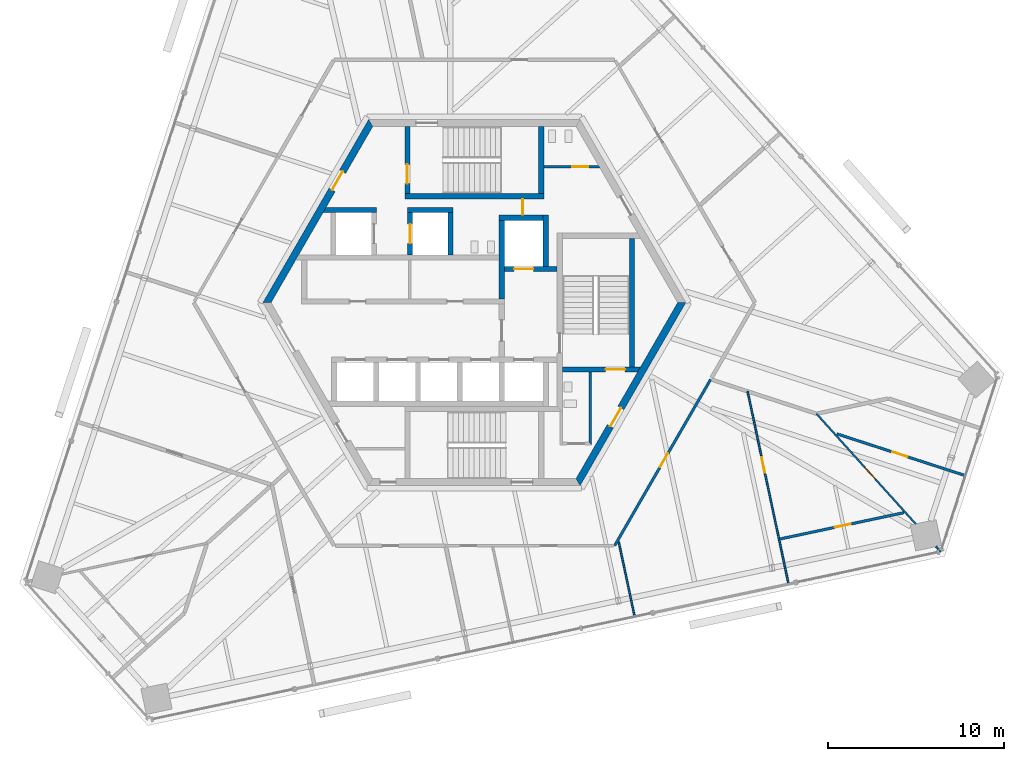
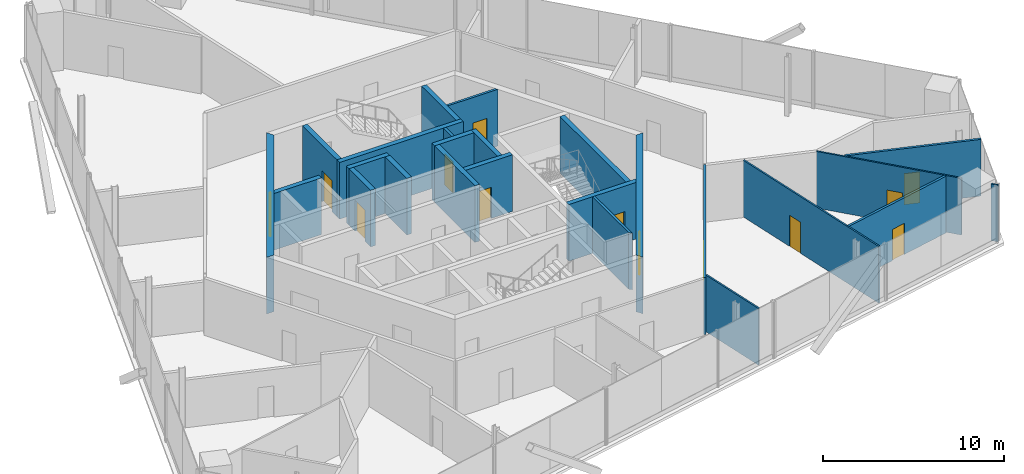
# One storey, part 11 of 14: 25 walls, 13 doors, 13 openings.
"""IFC4 building model written with IfcOpenShell, lengths in metres."""

from ifc_helpers import new_model, si_unit, direction, frame, frame_2d, origin, place, context, subcontext, project, spatial, polyline, rectangle, outline, extrude, source, transform, mapped, material, layer, layer_set, type_object, element, fill, save


model = new_model("IFC4")

# Units and contexts
model_context = context("Model", 3, precision=1e-05, world=origin(), true_north=direction((0.0, 1.0)))
body_context = subcontext(model_context, "Body", "Model", "MODEL_VIEW")
ifc_project = project(units=[si_unit("LENGTHUNIT", "METRE"), si_unit("AREAUNIT", "SQUARE_METRE"), si_unit("VOLUMEUNIT", "CUBIC_METRE"), si_unit("PLANEANGLEUNIT", "RADIAN"), si_unit("MASSUNIT", "GRAM", prefix="KILO")], contexts=[model_context])

# Site, building, storey
site_placement = place(None, origin())
site = spatial("IfcSite", under=ifc_project, at=site_placement, CompositionType="ELEMENT")
building_placement = place(site_placement, origin())
building = spatial("IfcBuilding", under=site, at=building_placement, Name="Triune Harvest Tower", CompositionType="ELEMENT")
storey_placement = place(building_placement, frame((0.0, 0.0, 284.699951171875)))
storey = spatial("IfcBuildingStorey", under=building, at=storey_placement, Name="L75", CompositionType="ELEMENT", Elevation=284.699951171875)

# Wall, opening, door
ifc_material_1 = material(Name="Gypsum board on steel studs", Category="steel")
ifc_layer_1 = layer(ifc_material_1, 0.14990234375)
ifc_layer_set_1 = layer_set([ifc_layer_1], Name="Gypsum board on steel studs")
wall_type_1 = type_object("IfcWallType", Name="Fire Partition 150 mm", PredefinedType="PARTITIONING", material=ifc_layer_set_1)
wall_1_placement = place(storey_placement, frame((20.5712890625, -7.44970703125, 0.0), z_axis=(0.0, 0.0, 1.0), x_axis=(0.95104950419, -0.309038574583, 0.0)))
wall_1 = element("IfcWall", 1, at=wall_1_placement, inside=storey, type_object=wall_type_1, Name="Partition L75 023", PredefinedType="PARTITIONING", context=body_context, shape_type="SweptSolid", body=[
    extrude(rectangle(XDim=7.6708984375, YDim=0.14990234375, at=frame_2d((3.83544921875, 0.0))), origin(), (0.0, 0.0, 1.0), 3.820068359375),
])
opening_1_placement = place(wall_1_placement, frame((3.321044921875, 0.0, 0.0)))
opening_1 = element("IfcOpeningElement", 2, at=opening_1_placement, cuts=wall_1, Name="Opening L75-019", PredefinedType="OPENING", context=body_context, shape_type="SweptSolid", body=[
    extrude(rectangle(XDim=0.89990234375, YDim=2.10009765625, at=frame_2d((0.449951171875, 1.050048828125))), frame((0.0, 0.0849609375, 0.0), z_axis=(0.0, -1.0, 0.0), x_axis=(1.0, 0.0, 0.0)), (0.0, 0.0, 1.0), 0.169921875),
])
ifc_material_2 = material(Name="Timber and steel door set", Category="steel")
door_type_1 = type_object("IfcDoorType", Name="Single leaf door FD30 right hand 900 x 2100", OperationType="SINGLE_SWING_RIGHT", PredefinedType="DOOR", material=ifc_material_2)
door_1_placement = place(opening_1_placement, origin())
door_1 = element("IfcDoor", 3, at=door_1_placement, inside=storey, type_object=door_type_1, Name="Door L75-019 Dry Store Room 75.19", OperationType="SINGLE_SWING_RIGHT", OverallHeight=2.10009765625, OverallWidth=0.89990234375, PredefinedType="DOOR", context=body_context, shape_type="SweptSolid", body=[
    extrude(rectangle(XDim=0.89990234375, YDim=2.10009765625, at=frame_2d((0.449951171875, 1.050048828125))), frame((0.0, 0.02490234375, 0.0), z_axis=(0.0, -1.0, 0.0), x_axis=(1.0, 0.0, 0.0)), (0.0, 0.0, 1.0), 0.050048828125),
])
fill(opening_1, door_1)

wall_2_placement = place(storey_placement, frame((17.3193359375, -13.42236328125, 0.0), z_axis=(0.0, 0.0, 1.0), x_axis=(0.978146208274, 0.207918241719, 0.0)))
wall_2 = element("IfcWall", 4, at=wall_2_placement, inside=storey, type_object=wall_type_1, Name="Partition L75 031", PredefinedType="PARTITIONING", context=body_context, shape_type="SweptSolid", body=[
    extrude(rectangle(XDim=7.215576171875, YDim=0.14990234375, at=frame_2d((3.60791015625, 0.0))), origin(), (0.0, 0.0, 1.0), 3.820068359375),
])
opening_2_placement = place(wall_2_placement, frame((3.219970703125, 0.0, 0.0)))
opening_2 = element("IfcOpeningElement", 5, at=opening_2_placement, cuts=wall_2, Name="Opening L75-017", PredefinedType="OPENING", context=body_context, shape_type="SweptSolid", body=[
    extrude(rectangle(XDim=0.89990234375, YDim=2.10009765625, at=frame_2d((0.449951171875, 1.050048828125))), frame((0.0, 0.0849609375, 0.0), z_axis=(0.0, -1.0, 0.0), x_axis=(1.0, 0.0, 0.0)), (0.0, 0.0, 1.0), 0.169921875),
])
ifc_material_3 = material(Name="Timber and steel door set", Category="steel")
door_type_2 = type_object("IfcDoorType", Name="Single leaf door FD30 left hand 900 x 2100", OperationType="SINGLE_SWING_LEFT", PredefinedType="DOOR", material=ifc_material_3)
door_2_placement = place(opening_2_placement, origin())
door_2 = element("IfcDoor", 6, at=door_2_placement, inside=storey, type_object=door_type_2, Name="Door L75-017 Dry Store Room 75.17", OperationType="SINGLE_SWING_LEFT", OverallHeight=2.10009765625, OverallWidth=0.89990234375, PredefinedType="DOOR", context=body_context, shape_type="SweptSolid", body=[
    extrude(rectangle(XDim=0.89990234375, YDim=2.10009765625, at=frame_2d((0.449951171875, 1.050048828125))), frame((0.0, 0.02490234375, 0.0), z_axis=(0.0, -1.0, 0.0), x_axis=(1.0, 0.0, 0.0)), (0.0, 0.0, 1.0), 0.050048828125),
])
fill(opening_2, door_2)

wall_3_placement = place(storey_placement, frame((7.96337890625, -13.791748046875, 0.0), z_axis=(0.0, 0.0, 1.0), x_axis=(0.500006418496, 0.866021698032, 0.0)))
wall_3 = element("IfcWall", 7, at=wall_3_placement, inside=storey, type_object=wall_type_1, Name="Partition L75 041", PredefinedType="PARTITIONING", context=body_context, shape_type="SweptSolid", body=[
    extrude(rectangle(XDim=10.890380859375, YDim=0.14990234375, at=frame_2d((5.4453125, 0.0))), origin(), (0.0, 0.0, 1.0), 3.820068359375),
])
opening_3_placement = place(wall_3_placement, frame((5.154296875, 0.0, 0.0)))
opening_3 = element("IfcOpeningElement", 8, at=opening_3_placement, cuts=wall_3, Name="Opening L75-016", PredefinedType="OPENING", context=body_context, shape_type="SweptSolid", body=[
    extrude(rectangle(XDim=0.89990234375, YDim=2.10009765625, at=frame_2d((0.449951171875, 1.050048828125))), frame((0.0, 0.0849609375, 0.0), z_axis=(0.0, -1.0, 0.0), x_axis=(1.0, 0.0, 0.0)), (0.0, 0.0, 1.0), 0.169921875),
])
door_3_placement = place(opening_3_placement, origin())
door_3 = element("IfcDoor", 9, at=door_3_placement, inside=storey, type_object=door_type_2, Name="Door L75-016 Dry Store Room 75.16", OperationType="SINGLE_SWING_LEFT", OverallHeight=2.10009765625, OverallWidth=0.89990234375, PredefinedType="DOOR", context=body_context, shape_type="SweptSolid", body=[
    extrude(rectangle(XDim=0.89990234375, YDim=2.10009765625, at=frame_2d((0.449951171875, 1.050048828125))), frame((0.0, 0.02490234375, 0.0), z_axis=(0.0, -1.0, 0.0), x_axis=(1.0, 0.0, 0.0)), (0.0, 0.0, 1.0), 0.050048828125),
])
fill(opening_3, door_3)

# Wall
ifc_material_4 = material(Name="Gypsum board on steel studs", Category="steel")
ifc_layer_2 = layer(ifc_material_4, 0.10009765625)
ifc_layer_set_2 = layer_set([ifc_layer_2], Name="Gypsum board on steel studs")
wall_type_2 = type_object("IfcWallType", Name="Partition 100 mm", PredefinedType="PARTITIONING", material=ifc_layer_set_2)
wall_4_placement = place(storey_placement, frame((8.194580078125, -13.57861328125, 0.0), z_axis=(0.0, 0.0, 1.0), x_axis=(0.207936050758, -0.978142422552, 0.0)))
element("IfcWall", 10, at=wall_4_placement, inside=storey, type_object=wall_type_2, Name="Partition L75 008", PredefinedType="PARTITIONING", context=body_context, shape_type="SweptSolid", body=[
    extrude(rectangle(XDim=4.34423828125, YDim=0.10009765625, at=frame_2d((2.172119140625, 0.0))), origin(), (0.0, 0.0, 1.0), 3.820068359375),
])

# Wall, opening, door
wall_5_placement = place(storey_placement, frame((15.506591796875, -5.038330078125, 0.0), z_axis=(0.0, 0.0, 1.0), x_axis=(0.207934249771, -0.978142805408, 0.0)))
wall_5 = element("IfcWall", 11, at=wall_5_placement, inside=storey, type_object=wall_type_2, Name="Partition L75 009", PredefinedType="PARTITIONING", context=body_context, shape_type="SweptSolid", body=[
    extrude(rectangle(XDim=11.177734375, YDim=0.10009765625, at=frame_2d((5.5888671875, 0.0))), origin(), (0.0, 0.0, 1.0), 3.820068359375),
])
opening_4_placement = place(wall_5_placement, frame((3.82763671875, 0.0, 0.0)))
opening_4 = element("IfcOpeningElement", 12, at=opening_4_placement, cuts=wall_5, Name="Opening L75-013", PredefinedType="OPENING", context=body_context, shape_type="SweptSolid", body=[
    extrude(rectangle(XDim=0.89990234375, YDim=2.10009765625, at=frame_2d((0.449951171875, 1.050048828125))), frame((0.0, 0.06005859375, 0.0), z_axis=(0.0, -1.0, 0.0), x_axis=(1.0, 0.0, 0.0)), (0.0, 0.0, 1.0), 0.1201171875),
])
ifc_material_5 = material(Name="Timber and steel door set", Category="steel")
door_type_3 = type_object("IfcDoorType", Name="Single leaf door left hand 900 x 2100", OperationType="SINGLE_SWING_LEFT", PredefinedType="DOOR", material=ifc_material_5)
door_4_placement = place(opening_4_placement, origin())
door_4 = element("IfcDoor", 13, at=door_4_placement, inside=storey, type_object=door_type_3, Name="Door L75-013 Sky Restaurant 75.13", OperationType="SINGLE_SWING_LEFT", OverallHeight=2.10009765625, OverallWidth=0.89990234375, PredefinedType="DOOR", context=body_context, shape_type="SweptSolid", body=[
    extrude(rectangle(XDim=0.89990234375, YDim=2.10009765625, at=frame_2d((0.449951171875, 1.050048828125))), frame((0.0, 0.02490234375, 0.0), z_axis=(0.0, -1.0, 0.0), x_axis=(1.0, 0.0, 0.0)), (0.0, 0.0, 1.0), 0.050048828125),
])
fill(opening_4, door_4)

# Wall
wall_6_placement = place(storey_placement, frame((26.197265625, -13.840087890625, 0.0), z_axis=(0.0, 0.0, 1.0), x_axis=(0.669100006365, -0.743172376695, 0.0)))
element("IfcWall", 14, at=wall_6_placement, inside=storey, type_object=wall_type_2, Name="Partition L75 018", PredefinedType="PARTITIONING", context=body_context, shape_type="SweptSolid", body=[
    extrude(rectangle(XDim=0.39892578125, YDim=0.10009765625, at=frame_2d((0.199462890625, 0.0))), origin(), (0.0, 0.0, 1.0), 3.820068359375),
])

# Wall, opening, door
ifc_material_6 = material(Name="Concrete 70 MPa", Category="concrete")
ifc_layer_3 = layer(ifc_material_6, 0.39990234375)
ifc_layer_set_3 = layer_set([ifc_layer_3], Name="Concrete 70 MPa")
wall_type_3 = type_object("IfcWallType", Name="Core wall 400", PredefinedType="SHEAR", material=ifc_layer_set_3)
shared_shape_1 = source(origin(), body_context, "Body", "SweptSolid", [
    extrude(outline(polyline([(-0.115478515625, -0.199951171875), (11.884521484375, -0.199951171875), (11.653564453125, 0.199951171875), (0.115478515625, 0.199951171875), (-0.115478515625, -0.199951171875)])), origin(), (0.0, 0.0, 1.0), 3.820068359375),
])
wall_7_placement = place(storey_placement, frame((-5.884521484375, 10.1923828125, 0.0), z_axis=(0.0, 0.0, 1.0), x_axis=(-0.499996592174, -0.866027371285, 0.0)))
wall_7 = element("IfcWall", 15, at=wall_7_placement, inside=storey, type_object=wall_type_3, Name="Hexagon 2 wall", PredefinedType="SHEAR", context=body_context, shape_type="MappedRepresentation", body=[
    mapped(shared_shape_1, transform((0.0, 0.0, 0.0), scale=1.0)),
])
opening_5_placement = place(wall_7_placement, frame((3.1845703125, 0.0, 0.0)))
opening_5 = element("IfcOpeningElement", 16, at=opening_5_placement, cuts=wall_7, Name="Opening CD-SVP", PredefinedType="OPENING", context=body_context, shape_type="SweptSolid", body=[
    extrude(rectangle(XDim=1.199951171875, YDim=2.10009765625, at=frame_2d((0.60009765625, 1.050048828125))), frame((0.0, 0.2099609375, 0.0), z_axis=(0.0, -1.0, 0.0), x_axis=(1.0, 0.0, 0.0)), (0.0, 0.0, 1.0), 0.419921875),
])
ifc_material_7 = material(Name="Steel S235", Category="steel")
door_type_4 = type_object("IfcDoorType", Name="Service door 1200 FD120", OperationType="SINGLE_SWING_LEFT", PredefinedType="DOOR", material=ifc_material_7)
door_5_placement = place(opening_5_placement, frame((1.199951171875, 0.0, 0.0), z_axis=(0.0, 0.0, 1.0), x_axis=(-1.0, 0.0, 0.0)))
door_5 = element("IfcDoor", 17, at=door_5_placement, inside=storey, type_object=door_type_4, Name="Door CD-SVP", OperationType="SINGLE_SWING_RIGHT", OverallHeight=2.10009765625, OverallWidth=1.199951171875, PredefinedType="DOOR", context=body_context, shape_type="SweptSolid", body=[
    extrude(rectangle(XDim=1.199951171875, YDim=2.10009765625, at=frame_2d((0.60009765625, 1.050048828125))), frame((0.0, 0.02490234375, 0.0), z_axis=(0.0, -1.0, 0.0), x_axis=(1.0, 0.0, 0.0)), (0.0, 0.0, 1.0), 0.050048828125),
])
fill(opening_5, door_5)

wall_8_placement = place(storey_placement, frame((5.884521484375, -10.1923828125, 0.0), z_axis=(0.0, 0.0, 1.0), x_axis=(0.499996592174, 0.866027371285, 0.0)))
wall_8 = element("IfcWall", 18, at=wall_8_placement, inside=storey, type_object=wall_type_3, Name="Hexagon 5 wall", PredefinedType="SHEAR", context=body_context, shape_type="MappedRepresentation", body=[
    mapped(shared_shape_1, transform((0.0, 0.0, 0.0), scale=1.0)),
])
opening_6_placement = place(wall_8_placement, frame((3.66455078125, 0.0, 0.0)))
opening_6 = element("IfcOpeningElement", 19, at=opening_6_placement, cuts=wall_8, Name="Opening CD-DP", PredefinedType="OPENING", context=body_context, shape_type="SweptSolid", body=[
    extrude(rectangle(XDim=1.199951171875, YDim=2.10009765625, at=frame_2d((0.60009765625, 1.050048828125))), frame((0.0, 0.2099609375, 0.0), z_axis=(0.0, -1.0, 0.0), x_axis=(1.0, 0.0, 0.0)), (0.0, 0.0, 1.0), 0.419921875),
])
ifc_material_8 = material(Name="Steel S235", Category="steel")
door_type_5 = type_object("IfcDoorType", Name="Stair door 1200 FD120", OperationType="SINGLE_SWING_LEFT", PredefinedType="DOOR", material=ifc_material_8)
door_6_placement = place(opening_6_placement, frame((1.199951171875, 0.0, 0.0), z_axis=(0.0, 0.0, 1.0), x_axis=(-1.0, 0.0, 0.0)))
door_6 = element("IfcDoor", 20, at=door_6_placement, inside=storey, type_object=door_type_5, Name="Door CD-DP", OperationType="SINGLE_SWING_RIGHT", OverallHeight=2.10009765625, OverallWidth=1.199951171875, PredefinedType="DOOR", context=body_context, shape_type="SweptSolid", body=[
    extrude(rectangle(XDim=1.199951171875, YDim=2.10009765625, at=frame_2d((0.60009765625, 1.050048828125))), frame((0.0, 0.02490234375, 0.0), z_axis=(0.0, -1.0, 0.0), x_axis=(1.0, 0.0, 0.0)), (0.0, 0.0, 1.0), 0.050048828125),
])
fill(opening_6, door_6)

# Walls
ifc_material_9 = material(Name="Concrete 70 MPa", Category="concrete")
ifc_layer_4 = layer(ifc_material_9, 0.300048828125)
ifc_layer_set_4 = layer_set([ifc_layer_4], Name="Concrete 70 MPa")
wall_type_4 = type_object("IfcWallType", Name="Core wall 300", PredefinedType="SHEAR", material=ifc_layer_set_4)
shared_shape_2 = source(origin(), body_context, "Body", "SweptSolid", [
    extrude(rectangle(XDim=2.5, YDim=0.300048828125, at=frame_2d((1.25, 0.0))), origin(), (0.0, 0.0, 1.0), 3.820068359375),
])
wall_9_placement = place(storey_placement, frame((1.39990234375, 4.81005859375, 0.0), z_axis=(0.0, 0.0, 1.0), x_axis=(1.0, 0.0, 0.0)))
element("IfcWall", 21, at=wall_9_placement, inside=storey, type_object=wall_type_4, Name="Ff1 back wall", PredefinedType="SHEAR", context=body_context, shape_type="MappedRepresentation", body=[
    mapped(shared_shape_2, transform((0.0, 0.0, 0.0), scale=1.0)),
])
shared_shape_3 = source(origin(), body_context, "Body", "SweptSolid", [
    extrude(rectangle(XDim=4.449951171875, YDim=0.300048828125, at=frame_2d((2.22509765625, 0.0))), origin(), (0.0, 0.0, 1.0), 3.820068359375),
])
wall_10_placement = place(storey_placement, frame((1.550048828125, 0.2099609375, 0.0), z_axis=(0.0, 0.0, 1.0), x_axis=(0.0, 1.0, 0.0)))
element("IfcWall", 22, at=wall_10_placement, inside=storey, type_object=wall_type_4, Name="Ff1 west wall", PredefinedType="SHEAR", context=body_context, shape_type="MappedRepresentation", body=[
    mapped(shared_shape_3, transform((0.0, 0.0, 0.0), scale=1.0)),
])

# Wall, opening, door
shared_shape_4 = source(origin(), body_context, "Body", "SweptSolid", [
    extrude(rectangle(XDim=3.0, YDim=0.300048828125, at=frame_2d((1.5, 0.0))), origin(), (0.0, 0.0, 1.0), 3.820068359375),
])
wall_11_placement = place(storey_placement, frame((1.699951171875, 1.909912109375, 0.0), z_axis=(0.0, 0.0, 1.0), x_axis=(1.0, 0.0, 0.0)))
wall_11 = element("IfcWall", 23, at=wall_11_placement, inside=storey, type_object=wall_type_4, Name="Ff1 front wall", PredefinedType="SHEAR", context=body_context, shape_type="MappedRepresentation", body=[
    mapped(shared_shape_4, transform((0.0, 0.0, 0.0), scale=1.0)),
])
opening_7_placement = place(wall_11_placement, frame((0.550048828125, 0.0, 0.0)))
opening_7 = element("IfcOpeningElement", 24, at=opening_7_placement, cuts=wall_11, Name="Opening LD-FF1-75", PredefinedType="OPENING", context=body_context, shape_type="SweptSolid", body=[
    extrude(rectangle(XDim=1.10009765625, YDim=2.10009765625, at=frame_2d((0.550048828125, 1.050048828125))), frame((0.0, 0.16015625, 0.0), z_axis=(0.0, -1.0, 0.0), x_axis=(1.0, 0.0, 0.0)), (0.0, 0.0, 1.0), 0.320068359375),
])
ifc_material_10 = material(Name="Stainless steel AISI 304", Category="steel")
door_type_6 = type_object("IfcDoorType", Name="Landing door 1100 x 2100", OperationType="DOUBLE_DOOR_SLIDING", PredefinedType="DOOR", material=ifc_material_10)
door_7_placement = place(opening_7_placement, origin())
door_7 = element("IfcDoor", 25, at=door_7_placement, inside=storey, type_object=door_type_6, Name="Door LD-FF1-75", OperationType="DOUBLE_DOOR_SLIDING", OverallHeight=2.10009765625, OverallWidth=1.10009765625, PredefinedType="DOOR", context=body_context, shape_type="SweptSolid", body=[
    extrude(rectangle(XDim=1.10009765625, YDim=2.10009765625, at=frame_2d((0.550048828125, 1.050048828125))), frame((0.0, 0.02490234375, 0.0), z_axis=(0.0, -1.0, 0.0), x_axis=(1.0, 0.0, 0.0)), (0.0, 0.0, 1.0), 0.050048828125),
])
fill(opening_7, door_7)

# Wall
shared_shape_5 = source(origin(), body_context, "Body", "SweptSolid", [
    extrude(rectangle(XDim=2.89990234375, YDim=0.300048828125, at=frame_2d((1.449951171875, 0.0))), origin(), (0.0, 0.0, 1.0), 3.820068359375),
])
wall_12_placement = place(storey_placement, frame((4.050048828125, 2.06005859375, 0.0), z_axis=(0.0, 0.0, 1.0), x_axis=(0.0, 1.0, 0.0)))
element("IfcWall", 26, at=wall_12_placement, inside=storey, type_object=wall_type_4, Name="Ff1 east wall", PredefinedType="SHEAR", context=body_context, shape_type="MappedRepresentation", body=[
    mapped(shared_shape_5, transform((0.0, 0.0, 0.0), scale=1.0)),
])

# Wall, opening, door
shared_shape_6 = source(origin(), body_context, "Body", "SweptSolid", [
    extrude(outline(polyline([(0.0, -0.14990234375), (0.0, 0.14990234375), (4.43310546875, 0.14990234375), (4.260009765625, -0.14990234375), (0.0, -0.14990234375)])), origin(), (0.0, 0.0, 1.0), 3.820068359375),
])
wall_13_placement = place(storey_placement, frame((5.0, -3.800048828125, 0.0), z_axis=(0.0, 0.0, 1.0), x_axis=(1.0, 0.0, 0.0)))
wall_13 = element("IfcWall", 27, at=wall_13_placement, inside=storey, type_object=wall_type_4, Name="Stair e south wall", PredefinedType="SHEAR", context=body_context, shape_type="MappedRepresentation", body=[
    mapped(shared_shape_6, transform((0.0, 0.0, 0.0), scale=1.0)),
])
opening_8_placement = place(wall_13_placement, frame((2.449951171875, 0.0, 0.0)))
opening_8 = element("IfcOpeningElement", 28, at=opening_8_placement, cuts=wall_13, Name="Opening CD-S3D", PredefinedType="OPENING", context=body_context, shape_type="SweptSolid", body=[
    extrude(rectangle(XDim=1.10009765625, YDim=2.10009765625, at=frame_2d((0.550048828125, 1.050048828125))), frame((0.0, 0.16015625, 0.0), z_axis=(0.0, -1.0, 0.0), x_axis=(1.0, 0.0, 0.0)), (0.0, 0.0, 1.0), 0.320068359375),
])
ifc_material_11 = material(Name="Steel S235", Category="steel")
door_type_7 = type_object("IfcDoorType", Name="Stair door 1100 FD120", OperationType="SINGLE_SWING_LEFT", PredefinedType="DOOR", material=ifc_material_11)
door_8_placement = place(opening_8_placement, frame((1.10009765625, 0.0, 0.0), z_axis=(0.0, 0.0, 1.0), x_axis=(-1.0, 0.0, 0.0)))
door_8 = element("IfcDoor", 29, at=door_8_placement, inside=storey, type_object=door_type_7, Name="Door CD-S3D", OperationType="SINGLE_SWING_RIGHT", OverallHeight=2.10009765625, OverallWidth=1.10009765625, PredefinedType="DOOR", context=body_context, shape_type="SweptSolid", body=[
    extrude(rectangle(XDim=1.10009765625, YDim=2.10009765625, at=frame_2d((0.550048828125, 1.050048828125))), frame((0.0, 0.02490234375, 0.0), z_axis=(0.0, -1.0, 0.0), x_axis=(1.0, 0.0, 0.0)), (0.0, 0.0, 1.0), 0.050048828125),
])
fill(opening_8, door_8)

# Walls
shared_shape_7 = source(origin(), body_context, "Body", "SweptSolid", [
    extrude(rectangle(XDim=7.2998046875, YDim=0.300048828125, at=frame_2d((3.64990234375, 0.0))), origin(), (0.0, 0.0, 1.0), 3.820068359375),
])
wall_14_placement = place(storey_placement, frame((8.949951171875, -3.64990234375, 0.0), z_axis=(0.0, 0.0, 1.0), x_axis=(0.0, 1.0, 0.0)))
element("IfcWall", 30, at=wall_14_placement, inside=storey, type_object=wall_type_4, Name="Stair e east wall", PredefinedType="SHEAR", context=body_context, shape_type="MappedRepresentation", body=[
    mapped(shared_shape_7, transform((0.0, 0.0, 0.0), scale=1.0)),
])
shared_shape_8 = source(origin(), body_context, "Body", "SweptSolid", [
    extrude(rectangle(XDim=7.89990234375, YDim=0.300048828125, at=frame_2d((3.949951171875, 0.0))), origin(), (0.0, 0.0, 1.0), 3.820068359375),
])
wall_15_placement = place(storey_placement, frame((-3.949951171875, 6.0400390625, 0.0), z_axis=(0.0, 0.0, 1.0), x_axis=(1.0, 0.0, 0.0)))
element("IfcWall", 31, at=wall_15_placement, inside=storey, type_object=wall_type_4, Name="Stair n south wall", PredefinedType="SHEAR", context=body_context, shape_type="MappedRepresentation", body=[
    mapped(shared_shape_8, transform((0.0, 0.0, 0.0), scale=1.0)),
])

# Wall, opening, door
shared_shape_9 = source(origin(), body_context, "Body", "SweptSolid", [
    extrude(outline(polyline([(0.0, -0.14990234375), (0.0, 0.14990234375), (3.80419921875, 0.14990234375), (3.80419921875, -0.14990234375), (0.0, -0.14990234375)])), origin(), (0.0, 0.0, 1.0), 3.820068359375),
])
wall_16_placement = place(storey_placement, frame((-3.800048828125, 6.18994140625, 0.0), z_axis=(0.0, 0.0, 1.0), x_axis=(0.0, 1.0, 0.0)))
wall_16 = element("IfcWall", 32, at=wall_16_placement, inside=storey, type_object=wall_type_4, Name="Stair n west wall", PredefinedType="SHEAR", context=body_context, shape_type="MappedRepresentation", body=[
    mapped(shared_shape_9, transform((0.0, 0.0, 0.0), scale=1.0)),
])
opening_9_placement = place(wall_16_placement, frame((0.56005859375, 0.0, 0.0)))
opening_9 = element("IfcOpeningElement", 33, at=opening_9_placement, cuts=wall_16, Name="Opening CD-S1L", PredefinedType="OPENING", context=body_context, shape_type="SweptSolid", body=[
    extrude(rectangle(XDim=1.10009765625, YDim=2.10009765625, at=frame_2d((0.550048828125, 1.050048828125))), frame((0.0, 0.16015625, 0.0), z_axis=(0.0, -1.0, 0.0), x_axis=(1.0, 0.0, 0.0)), (0.0, 0.0, 1.0), 0.320068359375),
])
door_9_placement = place(opening_9_placement, frame((1.10009765625, 0.0, 0.0), z_axis=(0.0, 0.0, 1.0), x_axis=(-1.0, 0.0, 0.0)))
door_9 = element("IfcDoor", 34, at=door_9_placement, inside=storey, type_object=door_type_7, Name="Door CD-S1L", OperationType="SINGLE_SWING_RIGHT", OverallHeight=2.10009765625, OverallWidth=1.10009765625, PredefinedType="DOOR", context=body_context, shape_type="SweptSolid", body=[
    extrude(rectangle(XDim=1.10009765625, YDim=2.10009765625, at=frame_2d((0.550048828125, 1.050048828125))), frame((0.0, 0.02490234375, 0.0), z_axis=(0.0, -1.0, 0.0), x_axis=(1.0, 0.0, 0.0)), (0.0, 0.0, 1.0), 0.050048828125),
])
fill(opening_9, door_9)

# Walls
wall_17_placement = place(storey_placement, frame((3.800048828125, 6.18994140625, 0.0), z_axis=(0.0, 0.0, 1.0), x_axis=(0.0, 1.0, 0.0)))
element("IfcWall", 35, at=wall_17_placement, inside=storey, type_object=wall_type_4, Name="Stair n east wall", PredefinedType="SHEAR", context=body_context, shape_type="MappedRepresentation", body=[
    mapped(shared_shape_9, transform((0.0, 0.0, 0.0), scale=1.0)),
])
shared_shape_10 = source(origin(), body_context, "Body", "SweptSolid", [
    extrude(outline(polyline([(2.60009765625, -0.14990234375), (-0.440185546875, -0.14990234375), (-0.26708984375, 0.14990234375), (2.60009765625, 0.14990234375), (2.60009765625, -0.14990234375)])), origin(), (0.0, 0.0, 1.0), 3.820068359375),
])
wall_18_placement = place(storey_placement, frame((-8.14990234375, 5.260009765625, 0.0), z_axis=(0.0, 0.0, 1.0), x_axis=(1.0, 0.0, 0.0)))
element("IfcWall", 36, at=wall_18_placement, inside=storey, type_object=wall_type_4, Name="Sv1 north wall", PredefinedType="SHEAR", context=body_context, shape_type="MappedRepresentation", body=[
    mapped(shared_shape_10, transform((0.0, 0.0, 0.0), scale=1.0)),
])

# Wall, opening, door
shared_shape_11 = source(origin(), body_context, "Body", "SweptSolid", [
    extrude(rectangle(XDim=2.400146484375, YDim=0.300048828125, at=frame_2d((1.2001953125, 0.0))), origin(), (0.0, 0.0, 1.0), 3.820068359375),
])
wall_19_placement = place(storey_placement, frame((-3.64990234375, 2.7099609375, 0.0), z_axis=(0.0, 0.0, 1.0), x_axis=(0.0, 1.0, 0.0)))
wall_19 = element("IfcWall", 37, at=wall_19_placement, inside=storey, type_object=wall_type_4, Name="Sv2 west wall", PredefinedType="SHEAR", context=body_context, shape_type="MappedRepresentation", body=[
    mapped(shared_shape_11, transform((0.0, 0.0, 0.0), scale=1.0)),
])
opening_10_placement = place(wall_19_placement, frame((0.64990234375, 0.0, 0.0)))
opening_10 = element("IfcOpeningElement", 38, at=opening_10_placement, cuts=wall_19, Name="Opening LD-SV2-75", PredefinedType="OPENING", context=body_context, shape_type="SweptSolid", body=[
    extrude(rectangle(XDim=1.10009765625, YDim=2.10009765625, at=frame_2d((0.550048828125, 1.050048828125))), frame((0.0, 0.16015625, 0.0), z_axis=(0.0, -1.0, 0.0), x_axis=(1.0, 0.0, 0.0)), (0.0, 0.0, 1.0), 0.320068359375),
])
door_10_placement = place(opening_10_placement, origin())
door_10 = element("IfcDoor", 39, at=door_10_placement, inside=storey, type_object=door_type_6, Name="Door LD-SV2-75", OperationType="DOUBLE_DOOR_SLIDING", OverallHeight=2.10009765625, OverallWidth=1.10009765625, PredefinedType="DOOR", context=body_context, shape_type="SweptSolid", body=[
    extrude(rectangle(XDim=1.10009765625, YDim=2.10009765625, at=frame_2d((0.550048828125, 1.050048828125))), frame((0.0, 0.02490234375, 0.0), z_axis=(0.0, -1.0, 0.0), x_axis=(1.0, 0.0, 0.0)), (0.0, 0.0, 1.0), 0.050048828125),
])
fill(opening_10, door_10)

# Walls
wall_20_placement = place(storey_placement, frame((-1.35009765625, 2.7099609375, 0.0), z_axis=(0.0, 0.0, 1.0), x_axis=(0.0, 1.0, 0.0)))
element("IfcWall", 40, at=wall_20_placement, inside=storey, type_object=wall_type_4, Name="Sv2 east wall", PredefinedType="SHEAR", context=body_context, shape_type="MappedRepresentation", body=[
    mapped(shared_shape_11, transform((0.0, 0.0, 0.0), scale=1.0)),
])
shared_shape_12 = source(origin(), body_context, "Body", "SweptSolid", [
    extrude(rectangle(XDim=2.60009765625, YDim=0.300048828125, at=frame_2d((1.300048828125, 0.0))), origin(), (0.0, 0.0, 1.0), 3.820068359375),
])
wall_21_placement = place(storey_placement, frame((-3.800048828125, 5.260009765625, 0.0), z_axis=(0.0, 0.0, 1.0), x_axis=(1.0, 0.0, 0.0)))
element("IfcWall", 41, at=wall_21_placement, inside=storey, type_object=wall_type_4, Name="Sv2 north wall", PredefinedType="SHEAR", context=body_context, shape_type="MappedRepresentation", body=[
    mapped(shared_shape_12, transform((0.0, 0.0, 0.0), scale=1.0)),
])
ifc_material_12 = material(Name="Concrete masonry unit", Category="masonry")
ifc_layer_5 = layer(ifc_material_12, 0.14990234375)
ifc_layer_set_5 = layer_set([ifc_layer_5], Name="Concrete masonry unit")
wall_type_5 = type_object("IfcWallType", Name="Block partition 150 unrated", PredefinedType="PARTITIONING", material=ifc_layer_set_5)
shared_shape_13 = source(origin(), body_context, "Body", "SweptSolid", [
    extrude(outline(polyline([(-0.074951171875, -0.074951171875), (4.050048828125, -0.074951171875), (4.050048828125, 0.074951171875), (0.074951171875, 0.074951171875), (-0.074951171875, -0.074951171875)])), origin(), (0.0, 0.0, 1.0), 3.820068359375),
])
wall_22_placement = place(storey_placement, frame((6.574951171875, -8.0, 0.0), z_axis=(0.0, 0.0, 1.0), x_axis=(0.0, 1.0, 0.0)))
element("IfcWall", 42, at=wall_22_placement, inside=storey, type_object=wall_type_5, Name="Wc acc east wall", PredefinedType="PARTITIONING", context=body_context, shape_type="MappedRepresentation", body=[
    mapped(shared_shape_13, transform((0.0, 0.0, 0.0), scale=1.0)),
])

# Wall, opening, door
shared_shape_14 = source(origin(), body_context, "Body", "SweptSolid", [
    extrude(outline(polyline([(0.0, -0.074951171875), (0.0, 0.074951171875), (3.1015625, 0.074951171875), (3.18798828125, -0.074951171875), (0.0, -0.074951171875)])), origin(), (0.0, 0.0, 1.0), 3.820068359375),
])
wall_23_placement = place(storey_placement, frame((3.949951171875, 7.699951171875, 0.0), z_axis=(0.0, 0.0, 1.0), x_axis=(1.0, 0.0, 0.0)))
wall_23 = element("IfcWall", 43, at=wall_23_placement, inside=storey, type_object=wall_type_5, Name="Wc women south wall", PredefinedType="PARTITIONING", context=body_context, shape_type="MappedRepresentation", body=[
    mapped(shared_shape_14, transform((0.0, 0.0, 0.0), scale=1.0)),
])
opening_11_placement = place(wall_23_placement, frame((1.60009765625, 0.0, 0.0)))
opening_11 = element("IfcOpeningElement", 44, at=opening_11_placement, cuts=wall_23, Name="Opening CD-WW", PredefinedType="OPENING", context=body_context, shape_type="SweptSolid", body=[
    extrude(rectangle(XDim=0.89990234375, YDim=2.10009765625, at=frame_2d((0.449951171875, 1.050048828125))), frame((0.0, 0.0849609375, 0.0), z_axis=(0.0, -1.0, 0.0), x_axis=(1.0, 0.0, 0.0)), (0.0, 0.0, 1.0), 0.169921875),
])
ifc_material_13 = material(Name="Timber C24", Category="wood")
door_type_8 = type_object("IfcDoorType", Name="WC door 900", OperationType="SINGLE_SWING_LEFT", PredefinedType="DOOR", material=ifc_material_13)
door_11_placement = place(opening_11_placement, origin())
door_11 = element("IfcDoor", 45, at=door_11_placement, inside=storey, type_object=door_type_8, Name="Door CD-WW", OperationType="SINGLE_SWING_LEFT", OverallHeight=2.10009765625, OverallWidth=0.89990234375, PredefinedType="DOOR", context=body_context, shape_type="SweptSolid", body=[
    extrude(rectangle(XDim=0.89990234375, YDim=2.10009765625, at=frame_2d((0.449951171875, 1.050048828125))), frame((0.0, 0.02490234375, 0.0), z_axis=(0.0, -1.0, 0.0), x_axis=(1.0, 0.0, 0.0)), (0.0, 0.0, 1.0), 0.050048828125),
])
fill(opening_11, door_11)

shared_shape_15 = source(origin(), body_context, "Body", "SweptSolid", [
    extrude(rectangle(XDim=0.929931640625, YDim=0.14990234375, at=frame_2d((0.46484375, 0.0))), origin(), (0.0, 0.0, 1.0), 3.820068359375),
])
wall_24_placement = place(storey_placement, frame((2.75, 4.9599609375, 0.0), z_axis=(0.0, 0.0, 1.0), x_axis=(0.0, 1.0, 0.0)))
wall_24 = element("IfcWall", 46, at=wall_24_placement, inside=storey, type_object=wall_type_5, Name="Wc men east b wall", PredefinedType="PARTITIONING", context=body_context, shape_type="MappedRepresentation", body=[
    mapped(shared_shape_15, transform((0.0, 0.0, 0.0), scale=1.0)),
])
opening_12_placement = place(wall_24_placement, frame((0.014892578125, 0.0, 0.0)))
opening_12 = element("IfcOpeningElement", 47, at=opening_12_placement, cuts=wall_24, Name="Opening CD-WM", PredefinedType="OPENING", context=body_context, shape_type="SweptSolid", body=[
    extrude(rectangle(XDim=0.89990234375, YDim=2.10009765625, at=frame_2d((0.449951171875, 1.050048828125))), frame((0.0, 0.0849609375, 0.0), z_axis=(0.0, -1.0, 0.0), x_axis=(1.0, 0.0, 0.0)), (0.0, 0.0, 1.0), 0.169921875),
])
door_12_placement = place(opening_12_placement, origin())
door_12 = element("IfcDoor", 48, at=door_12_placement, inside=storey, type_object=door_type_8, Name="Door CD-WM", OperationType="SINGLE_SWING_LEFT", OverallHeight=2.10009765625, OverallWidth=0.89990234375, PredefinedType="DOOR", context=body_context, shape_type="SweptSolid", body=[
    extrude(rectangle(XDim=0.89990234375, YDim=2.10009765625, at=frame_2d((0.449951171875, 1.050048828125))), frame((0.0, 0.02490234375, 0.0), z_axis=(0.0, -1.0, 0.0), x_axis=(1.0, 0.0, 0.0)), (0.0, 0.0, 1.0), 0.050048828125),
])
fill(opening_12, door_12)

shared_shape_16 = source(origin(), body_context, "Body", "SweptSolid", [
    extrude(rectangle(XDim=8.425537109375, YDim=0.10009765625, at=frame_2d((4.212890625, 0.0))), origin(), (0.0, 0.0, 1.0), 3.820068359375),
])
wall_25_placement = place(storey_placement, frame((19.416015625, -6.30859375, 0.0), z_axis=(0.0, 0.0, 1.0), x_axis=(0.669120004211, -0.743154371557, 0.0)))
wall_25 = element("IfcWall", 49, at=wall_25_placement, inside=storey, type_object=wall_type_2, Name="Partition L75 017", PredefinedType="PARTITIONING", context=body_context, shape_type="MappedRepresentation", body=[
    mapped(shared_shape_16, transform((0.0, 0.0, 0.0), scale=1.0)),
])
opening_13_placement = place(wall_25_placement, frame((4.09130859375, 0.0, 0.0)))
opening_13 = element("IfcOpeningElement", 50, at=opening_13_placement, cuts=wall_25, Name="Opening L75-018", PredefinedType="OPENING", context=body_context, shape_type="SweptSolid", body=[
    extrude(rectangle(XDim=0.89990234375, YDim=2.10009765625, at=frame_2d((0.449951171875, 1.050048828125))), frame((0.0, 0.06005859375, 0.0), z_axis=(0.0, -1.0, 0.0), x_axis=(1.0, 0.0, 0.0)), (0.0, 0.0, 1.0), 0.1201171875),
])
ifc_material_14 = material(Name="Timber and steel door set", Category="steel")
door_type_9 = type_object("IfcDoorType", Name="Single leaf door right hand 900 x 2100", OperationType="SINGLE_SWING_RIGHT", PredefinedType="DOOR", material=ifc_material_14)
door_13_placement = place(opening_13_placement, origin())
door_13 = element("IfcDoor", 51, at=door_13_placement, inside=storey, type_object=door_type_9, Name="Door L75-018 Sky Bar 75.18", OperationType="SINGLE_SWING_RIGHT", OverallHeight=2.10009765625, OverallWidth=0.89990234375, PredefinedType="DOOR", context=body_context, shape_type="SweptSolid", body=[
    extrude(rectangle(XDim=0.89990234375, YDim=2.10009765625, at=frame_2d((0.449951171875, 1.050048828125))), frame((0.0, 0.02490234375, 0.0), z_axis=(0.0, -1.0, 0.0), x_axis=(1.0, 0.0, 0.0)), (0.0, 0.0, 1.0), 0.050048828125),
])
fill(opening_13, door_13)

save(model, "model.ifc")
